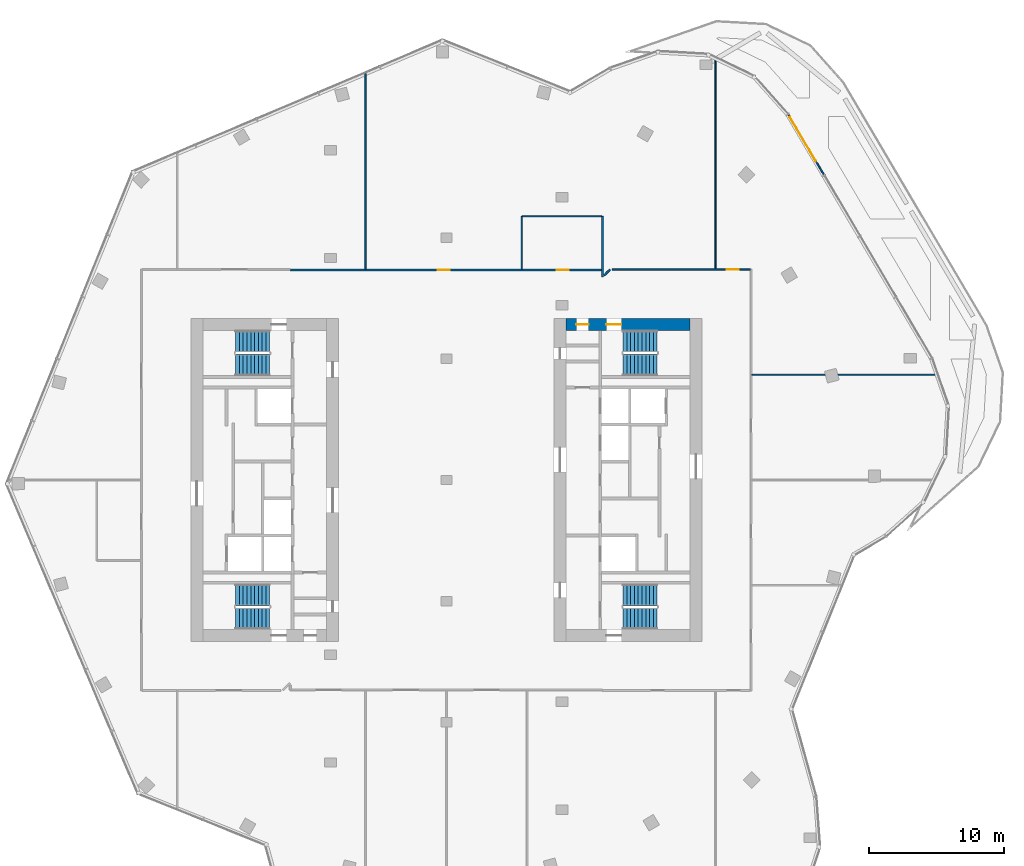
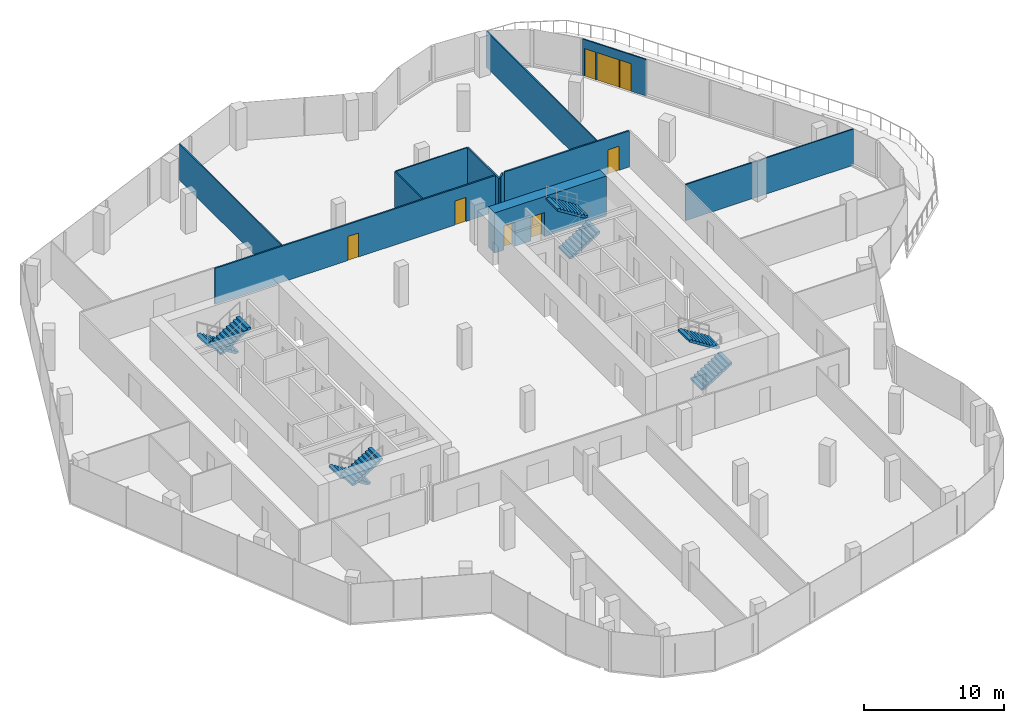
# One storey, part 15 of 17: 11 walls, 8 stair flights, 6 doors, 2 windows, 8 openings, 4 elements without a shape of their own.
"""IFC4 building model written with IfcOpenShell, lengths in metres."""

from ifc_helpers import new_model, si_unit, direction, frame, frame_2d, origin, place, context, subcontext, project, spatial, polyline, rectangle, outline, extrude, material, layer, layer_set, type_object, element, fill, aggregate, save


model = new_model("IFC4")

# Units and contexts
model_context = context("Model", 3, precision=1e-05, world=origin(), true_north=direction((0.0, 1.0)))
body_context = subcontext(model_context, "Body", "Model", "MODEL_VIEW")
ifc_project = project(units=[si_unit("LENGTHUNIT", "METRE"), si_unit("AREAUNIT", "SQUARE_METRE"), si_unit("VOLUMEUNIT", "CUBIC_METRE"), si_unit("PLANEANGLEUNIT", "RADIAN"), si_unit("MASSUNIT", "GRAM", prefix="KILO")], contexts=[model_context])

# Site, building, storey
site_placement = place(None, origin())
site = spatial("IfcSite", under=ifc_project, at=site_placement, CompositionType="ELEMENT")
building_placement = place(site_placement, origin())
building = spatial("IfcBuilding", under=site, at=building_placement, Name="Orlundy Tower", CompositionType="ELEMENT")
storey_placement = place(building_placement, frame((0.0, 0.0, 289.39990234375)))
storey = spatial("IfcBuildingStorey", under=building, at=storey_placement, Name="L77", CompositionType="ELEMENT", Elevation=289.39990234375)

# Wall, openings, doors
ifc_material_1 = material(Name="Concrete C50/60", Category="concrete")
ifc_layer_1 = layer(ifc_material_1, 0.89990234375)
ifc_layer_set_1 = layer_set([ifc_layer_1], Name="CORE WALL 900 C50/60")
wall_type_1 = type_object("IfcWallType", Name="CORE WALL 900 C50/60", PredefinedType="SHEAR", material=ifc_layer_set_1)
wall_1_placement = place(storey_placement, frame((8.89990234375, 11.550048828125, 0.0), z_axis=(0.0, 0.0, 1.0), x_axis=(1.0, 0.0, 0.0)))
wall_1 = element("IfcWall", 1, at=wall_1_placement, inside=storey, type_object=wall_type_1, Name="Core wall E-N L77", PredefinedType="SHEAR", context=body_context, shape_type="SweptSolid", body=[
    extrude(rectangle(XDim=9.2001953125, YDim=0.89990234375, at=frame_2d((4.60009765625, 0.0))), origin(), (0.0, 0.0, 1.0), 3.5),
])
opening_1_placement = place(wall_1_placement, frame((3.0, 0.0, 0.0)))
opening_1 = element("IfcOpeningElement", 2, at=opening_1_placement, cuts=wall_1, Name="Opening 59061", PredefinedType="OPENING", context=body_context, shape_type="SweptSolid", body=[
    extrude(rectangle(XDim=1.10009765625, YDim=2.10009765625, at=frame_2d((0.550048828125, 1.050048828125))), frame((0.0, 0.4599609375, 0.0), z_axis=(0.0, -1.0, 0.0), x_axis=(1.0, 0.0, 0.0)), (0.0, 0.0, 1.0), 0.919921875),
])
opening_2_placement = place(wall_1_placement, frame((0.77001953125, 0.0, 0.0)))
opening_2 = element("IfcOpeningElement", 3, at=opening_2_placement, cuts=wall_1, Name="Opening 59063", PredefinedType="OPENING", context=body_context, shape_type="SweptSolid", body=[
    extrude(rectangle(XDim=0.89990234375, YDim=2.10009765625, at=frame_2d((0.449951171875, 1.050048828125))), frame((0.0, 0.4599609375, 0.0), z_axis=(0.0, -1.0, 0.0), x_axis=(1.0, 0.0, 0.0)), (0.0, 0.0, 1.0), 0.919921875),
])
ifc_material_2 = material(Name="Timber door set", Category="wood")
door_type_1 = type_object("IfcDoorType", Name="Room Door 900x2100", OperationType="SINGLE_SWING_LEFT", PredefinedType="DOOR", material=ifc_material_2)
door_1_placement = place(opening_2_placement, origin())
door_1 = element("IfcDoor", 4, at=door_1_placement, inside=storey, type_object=door_type_1, Name="Store door 59063", OperationType="SINGLE_SWING_LEFT", OverallHeight=2.10009765625, OverallWidth=0.89990234375, PredefinedType="DOOR", context=body_context, shape_type="SweptSolid", body=[
    extrude(rectangle(XDim=0.89990234375, YDim=2.10009765625, at=frame_2d((0.449951171875, 1.050048828125))), frame((0.0, 0.02490234375, 0.0), z_axis=(0.0, -1.0, 0.0), x_axis=(1.0, 0.0, 0.0)), (0.0, 0.0, 1.0), 0.050048828125),
])
fill(opening_2, door_1)
ifc_material_3 = material(Name="Steel door set", Category="steel")
door_type_2 = type_object("IfcDoorType", Name="Stair Door 1100x2100", OperationType="SINGLE_SWING_LEFT", PredefinedType="DOOR", material=ifc_material_3)
door_2_placement = place(opening_1_placement, origin())
door_2 = element("IfcDoor", 5, at=door_2_placement, inside=storey, type_object=door_type_2, Name="Stair door 59061", OperationType="SINGLE_SWING_LEFT", OverallHeight=2.10009765625, OverallWidth=1.10009765625, PredefinedType="DOOR", context=body_context, shape_type="SweptSolid", body=[
    extrude(rectangle(XDim=1.10009765625, YDim=2.10009765625, at=frame_2d((0.550048828125, 1.050048828125))), frame((0.0, 0.02490234375, 0.0), z_axis=(0.0, -1.0, 0.0), x_axis=(1.0, 0.0, 0.0)), (0.0, 0.0, 1.0), 0.050048828125),
])
fill(opening_1, door_2)

# Walls
ifc_material_4 = material(Name="Gypsum board partition")
ifc_layer_2 = layer(ifc_material_4, 0.10009765625)
ifc_layer_set_2 = layer_set([ifc_layer_2], Name="Floor partition 100")
wall_type_2 = type_object("IfcWallType", Name="Floor partition 100", PredefinedType="PARTITIONING", material=ifc_layer_set_2)
wall_2_placement = place(storey_placement, frame((22.7119140625, 7.823974609375, 0.0), z_axis=(0.0, 0.0, 1.0), x_axis=(1.0, 0.0, 0.0)))
element("IfcWall", 6, at=wall_2_placement, inside=storey, type_object=wall_type_2, Name="wall-int-L77-010", PredefinedType="PARTITIONING", context=body_context, shape_type="SweptSolid", body=[
    extrude(rectangle(XDim=13.8701171875, YDim=0.10009765625, at=frame_2d((6.93505859375, 0.0))), origin(), (0.0, 0.0, 1.0), 3.150146484375),
])
wall_3_placement = place(storey_placement, frame((5.64892578125, 19.60009765625, 0.0), z_axis=(0.0, 0.0, 1.0), x_axis=(1.0, 0.0, 0.0)))
element("IfcWall", 7, at=wall_3_placement, inside=storey, type_object=wall_type_2, Name="wall-int-L77-014", PredefinedType="PARTITIONING", context=body_context, shape_type="SweptSolid", body=[
    extrude(rectangle(XDim=5.88818359375, YDim=0.10009765625, at=frame_2d((2.944091796875, 0.0))), origin(), (0.0, 0.0, 1.0), 3.150146484375),
])
wall_4_placement = place(storey_placement, frame((20.0, 15.712890625, 0.0), z_axis=(0.0, 0.0, 1.0), x_axis=(0.0, 1.0, 0.0)))
element("IfcWall", 8, at=wall_4_placement, inside=storey, type_object=wall_type_2, Name="wall-int-L77-020", PredefinedType="PARTITIONING", context=body_context, shape_type="SweptSolid", body=[
    extrude(rectangle(XDim=15.7412109375, YDim=0.10009765625, at=frame_2d((7.87060546875, 0.0))), origin(), (0.0, 0.0, 1.0), 3.150146484375),
])
wall_5_placement = place(storey_placement, frame((5.59912109375, 15.6640625, 0.0), z_axis=(0.0, 0.0, 1.0), x_axis=(0.0, 1.0, 0.0)))
element("IfcWall", 9, at=wall_5_placement, inside=storey, type_object=wall_type_2, Name="wall-int-L77-023", PredefinedType="PARTITIONING", context=body_context, shape_type="SweptSolid", body=[
    extrude(rectangle(XDim=3.93603515625, YDim=0.10009765625, at=frame_2d((1.968017578125, 0.0))), origin(), (0.0, 0.0, 1.0), 3.150146484375),
])
wall_6_placement = place(storey_placement, frame((-6.0, 15.6640625, 0.0), z_axis=(0.0, 0.0, 1.0), x_axis=(0.0, 1.0, 0.0)))
element("IfcWall", 10, at=wall_6_placement, inside=storey, type_object=wall_type_2, Name="wall-int-L77-026", PredefinedType="PARTITIONING", context=body_context, shape_type="SweptSolid", body=[
    extrude(rectangle(XDim=14.65185546875, YDim=0.10009765625, at=frame_2d((7.325927734375, 0.0))), origin(), (0.0, 0.0, 1.0), 3.150146484375),
])

# Wall, openings, doors
ifc_material_5 = material(Name="Gypsum board partition, double layer")
ifc_layer_3 = layer(ifc_material_5, 0.125)
ifc_layer_set_3 = layer_set([ifc_layer_3], Name="Floor partition 125")
wall_type_3 = type_object("IfcWallType", Name="Floor partition 125", PredefinedType="PARTITIONING", material=ifc_layer_set_3)
wall_7_placement = place(storey_placement, frame((-11.590087890625, 15.60107421875, 0.0), z_axis=(0.0, 0.0, 1.0), x_axis=(1.0, 0.0, 0.0)))
wall_7 = element("IfcWall", 11, at=wall_7_placement, inside=storey, type_object=wall_type_3, Name="wall-int-L77-011", PredefinedType="PARTITIONING", context=body_context, shape_type="SweptSolid", body=[
    extrude(rectangle(XDim=23.127197265625, YDim=0.125, at=frame_2d((11.5634765625, 0.0))), origin(), (0.0, 0.0, 1.0), 3.150146484375),
])
opening_3_placement = place(wall_7_placement, frame((10.93994140625, 0.0, 0.0)))
opening_3 = element("IfcOpeningElement", 12, at=opening_3_placement, cuts=wall_7, Name="Opening 59111", PredefinedType="OPENING", context=body_context, shape_type="SweptSolid", body=[
    extrude(rectangle(XDim=0.89990234375, YDim=2.10009765625, at=frame_2d((0.449951171875, 1.050048828125))), frame((0.0, 0.072509765625, 0.0), z_axis=(0.0, -1.0, 0.0), x_axis=(1.0, 0.0, 0.0)), (0.0, 0.0, 1.0), 0.14501953125),
])
opening_4_placement = place(wall_7_placement, frame((19.7890625, 0.0, 0.0)))
opening_4 = element("IfcOpeningElement", 13, at=opening_4_placement, cuts=wall_7, Name="Opening 59114", PredefinedType="OPENING", context=body_context, shape_type="SweptSolid", body=[
    extrude(rectangle(XDim=0.89990234375, YDim=2.10009765625, at=frame_2d((0.449951171875, 1.050048828125))), frame((0.0, 0.072509765625, 0.0), z_axis=(0.0, -1.0, 0.0), x_axis=(1.0, 0.0, 0.0)), (0.0, 0.0, 1.0), 0.14501953125),
])
ifc_material_6 = material(Name="Timber door leaf", Category="wood")
door_type_3 = type_object("IfcDoorType", Name="Floor door single 900 FD30S", OperationType="NOTDEFINED", PredefinedType="DOOR", material=ifc_material_6)
door_3_placement = place(opening_3_placement, origin())
door_3 = element("IfcDoor", 14, at=door_3_placement, inside=storey, type_object=door_type_3, Name="Door 59111", OperationType="SINGLE_SWING_LEFT", OverallHeight=2.10009765625, OverallWidth=0.89990234375, PredefinedType="DOOR", context=body_context, shape_type="SweptSolid", body=[
    extrude(rectangle(XDim=0.89990234375, YDim=2.10009765625, at=frame_2d((0.449951171875, 1.050048828125))), frame((0.0, 0.02490234375, 0.0), z_axis=(0.0, -1.0, 0.0), x_axis=(1.0, 0.0, 0.0)), (0.0, 0.0, 1.0), 0.050048828125),
])
fill(opening_3, door_3)
door_4_placement = place(opening_4_placement, origin())
door_4 = element("IfcDoor", 15, at=door_4_placement, inside=storey, type_object=door_type_3, Name="Door 59114", OperationType="SINGLE_SWING_RIGHT", OverallHeight=2.10009765625, OverallWidth=0.89990234375, PredefinedType="DOOR", context=body_context, shape_type="SweptSolid", body=[
    extrude(rectangle(XDim=0.89990234375, YDim=2.10009765625, at=frame_2d((0.449951171875, 1.050048828125))), frame((0.0, 0.02490234375, 0.0), z_axis=(0.0, -1.0, 0.0), x_axis=(1.0, 0.0, 0.0)), (0.0, 0.0, 1.0), 0.050048828125),
])
fill(opening_4, door_4)

# Wall, opening, door
wall_8_placement = place(storey_placement, frame((12.31103515625, 15.65087890625, 0.0), z_axis=(0.0, 0.0, 1.0), x_axis=(1.0, 0.0, 0.0)))
wall_8 = element("IfcWall", 16, at=wall_8_placement, inside=storey, type_object=wall_type_3, Name="wall-int-L77-013", PredefinedType="PARTITIONING", context=body_context, shape_type="SweptSolid", body=[
    extrude(rectangle(XDim=10.27587890625, YDim=0.125, at=frame_2d((5.137939453125, 0.0))), origin(), (0.0, 0.0, 1.0), 3.150146484375),
])
opening_5_placement = place(wall_8_placement, frame((8.5390625, 0.0, 0.0)))
opening_5 = element("IfcOpeningElement", 17, at=opening_5_placement, cuts=wall_8, Name="Opening 59110", PredefinedType="OPENING", context=body_context, shape_type="SweptSolid", body=[
    extrude(rectangle(XDim=0.89990234375, YDim=2.10009765625, at=frame_2d((0.449951171875, 1.050048828125))), frame((0.0, 0.072509765625, 0.0), z_axis=(0.0, -1.0, 0.0), x_axis=(1.0, 0.0, 0.0)), (0.0, 0.0, 1.0), 0.14501953125),
])
door_5_placement = place(opening_5_placement, origin())
door_5 = element("IfcDoor", 18, at=door_5_placement, inside=storey, type_object=door_type_3, Name="Door 59110", OperationType="SINGLE_SWING_RIGHT", OverallHeight=2.10009765625, OverallWidth=0.89990234375, PredefinedType="DOOR", context=body_context, shape_type="SweptSolid", body=[
    extrude(rectangle(XDim=0.89990234375, YDim=2.10009765625, at=frame_2d((0.449951171875, 1.050048828125))), frame((0.0, 0.02490234375, 0.0), z_axis=(0.0, -1.0, 0.0), x_axis=(1.0, 0.0, 0.0)), (0.0, 0.0, 1.0), 0.050048828125),
])
fill(opening_5, door_5)

# Walls
wall_9_placement = place(storey_placement, frame((11.73095703125, 15.20703125, 0.0), z_axis=(0.0, 0.0, 1.0), x_axis=(0.707311295066, 0.70690220814, 0.0)))
element("IfcWall", 19, at=wall_9_placement, inside=storey, type_object=wall_type_3, Name="wall-int-L77-016", PredefinedType="PARTITIONING", context=body_context, shape_type="SweptSolid", body=[
    extrude(rectangle(XDim=0.5966796875, YDim=0.125, at=frame_2d((0.29833984375, 0.0))), origin(), (0.0, 0.0, 1.0), 3.150146484375),
])
wall_10_placement = place(storey_placement, frame((11.60107421875, 15.092041015625, 0.0), z_axis=(0.0, 0.0, 1.0), x_axis=(0.0, 1.0, 0.0)))
element("IfcWall", 20, at=wall_10_placement, inside=storey, type_object=wall_type_3, Name="wall-int-L77-021", PredefinedType="PARTITIONING", context=body_context, shape_type="SweptSolid", body=[
    extrude(rectangle(XDim=4.507080078125, YDim=0.125, at=frame_2d((2.25341796875, 0.0))), origin(), (0.0, 0.0, 1.0), 3.150146484375),
])

# Wall, openings, windows, door
ifc_material_7 = material(Name="Aluminium bronze and tinted glass", Category="aluminium")
ifc_layer_4 = layer(ifc_material_7, 0.10009765625)
ifc_layer_set_4 = layer_set([ifc_layer_4], Name="Glazed door screen")
wall_type_4 = type_object("IfcWallType", Name="Glazed door screen", PredefinedType="STANDARD", material=ifc_layer_set_4)
wall_11_placement = place(storey_placement, frame((25.42431640625, 27.15869140625, 0.0), z_axis=(0.0, 0.0, 1.0), x_axis=(0.507520639253, -0.861639600258, 0.0)))
wall_11 = element("IfcWall", 21, at=wall_11_placement, inside=storey, type_object=wall_type_4, Name="Glazed door screen", PredefinedType="STANDARD", context=body_context, shape_type="SweptSolid", body=[
    extrude(rectangle(XDim=5.2216796875, YDim=0.10009765625, at=frame_2d((2.61083984375, 0.0))), origin(), (0.0, 0.0, 1.0), 3.18017578125),
])
opening_6_placement = place(wall_11_placement, frame((1.196533203125, 0.0, 0.0)))
opening_6 = element("IfcOpeningElement", 22, at=opening_6_placement, cuts=wall_11, Name="Opening 59940", PredefinedType="OPENING", context=body_context, shape_type="SweptSolid", body=[
    extrude(rectangle(XDim=1.800048828125, YDim=2.39990234375, at=frame_2d((0.89990234375, 1.199951171875))), frame((0.0, 0.06005859375, 0.0), z_axis=(0.0, -1.0, 0.0), x_axis=(1.0, 0.0, 0.0)), (0.0, 0.0, 1.0), 0.1201171875),
])
opening_7_placement = place(wall_11_placement, frame((0.196533203125, 0.0, 0.0)))
opening_7 = element("IfcOpeningElement", 23, at=opening_7_placement, cuts=wall_11, Name="Opening W02", PredefinedType="OPENING", context=body_context, shape_type="SweptSolid", body=[
    extrude(rectangle(XDim=0.89990234375, YDim=2.39990234375, at=frame_2d((0.449951171875, 1.199951171875))), frame((0.0, 0.06005859375, 0.0), z_axis=(0.0, -1.0, 0.0), x_axis=(1.0, 0.0, 0.0)), (0.0, 0.0, 1.0), 0.1201171875),
])
opening_8_placement = place(wall_11_placement, frame((3.096435546875, 0.0, 0.0)))
opening_8 = element("IfcOpeningElement", 24, at=opening_8_placement, cuts=wall_11, Name="Opening W02", PredefinedType="OPENING", context=body_context, shape_type="SweptSolid", body=[
    extrude(rectangle(XDim=0.89990234375, YDim=2.39990234375, at=frame_2d((0.449951171875, 1.199951171875))), frame((0.0, 0.06005859375, 0.0), z_axis=(0.0, -1.0, 0.0), x_axis=(1.0, 0.0, 0.0)), (0.0, 0.0, 1.0), 0.1201171875),
])
ifc_material_8 = material(Name="Tinted glass in bronze aluminium frame", Category="aluminium")
window_type = type_object("IfcWindowType", Name="SL2 sidelight 900x2400", PartitioningType="SINGLE_PANEL", PredefinedType="WINDOW", material=ifc_material_8)
window_1_placement = place(opening_7_placement, origin())
window_1 = element("IfcWindow", 25, at=window_1_placement, inside=storey, type_object=window_type, Name="Window W02 L77", OverallHeight=2.39990234375, OverallWidth=0.89990234375, PartitioningType="SINGLE_PANEL", PredefinedType="WINDOW", context=body_context, shape_type="SweptSolid", body=[
    extrude(rectangle(XDim=0.89990234375, YDim=2.39990234375, at=frame_2d((0.449951171875, 1.199951171875))), frame((0.0, 0.030029296875, 0.0), z_axis=(0.0, -1.0, 0.0), x_axis=(1.0, 0.0, 0.0)), (0.0, 0.0, 1.0), 0.06005859375),
])
fill(opening_7, window_1)
window_2_placement = place(opening_8_placement, origin())
window_2 = element("IfcWindow", 26, at=window_2_placement, inside=storey, type_object=window_type, Name="Window W02 L77", OverallHeight=2.39990234375, OverallWidth=0.89990234375, PartitioningType="SINGLE_PANEL", PredefinedType="WINDOW", context=body_context, shape_type="SweptSolid", body=[
    extrude(rectangle(XDim=0.89990234375, YDim=2.39990234375, at=frame_2d((0.449951171875, 1.199951171875))), frame((0.0, 0.030029296875, 0.0), z_axis=(0.0, -1.0, 0.0), x_axis=(1.0, 0.0, 0.0)), (0.0, 0.0, 1.0), 0.06005859375),
])
fill(opening_8, window_2)
ifc_material_9 = material(Name="Aluminium bronze and tinted glass", Category="aluminium")
door_type_4 = type_object("IfcDoorType", Name="TD1 terrace door 1800x2400", OperationType="NOTDEFINED", PredefinedType="DOOR", material=ifc_material_9)
door_6_placement = place(opening_6_placement, origin())
door_6 = element("IfcDoor", 27, at=door_6_placement, inside=storey, type_object=door_type_4, Name="Door 59940", OperationType="DOUBLE_DOOR_SINGLE_SWING", OverallHeight=2.39990234375, OverallWidth=1.800048828125, PredefinedType="DOOR", context=body_context, shape_type="SweptSolid", body=[
    extrude(rectangle(XDim=1.800048828125, YDim=2.39990234375, at=frame_2d((0.89990234375, 1.199951171875))), frame((0.0, 0.02490234375, 0.0), z_axis=(0.0, -1.0, 0.0), x_axis=(1.0, 0.0, 0.0)), (0.0, 0.0, 1.0), 0.050048828125),
])
fill(opening_6, door_6)

# Stair, stair flights
ifc_material_10 = material(Name="Concrete C50/60", Category="concrete")
stair_type = type_object("IfcStairType", Name="Exit Stair 20 risers", PredefinedType="HALF_TURN_STAIR", material=ifc_material_10)
stair_1_placement = place(storey_placement, origin())
stair_1 = element("IfcStair", 28, at=stair_1_placement, inside=storey, type_object=stair_type, Name="L77 Exit Stair ST-W1", PredefinedType="HALF_TURN_STAIR")
ifc_material_11 = material(Name="Concrete C50/60", Category="concrete")
stair_flight_type = type_object("IfcStairFlightType", Name="Stair Flight 10 risers", PredefinedType="STRAIGHT", material=ifc_material_11)
stair_flight_1_placement = place(storey_placement, frame((-13.139892578125, 10.300048828125, 0.0), z_axis=(0.0, 0.0, 1.0), x_axis=(-1.0, 0.0, 0.0)))
stair_flight_1 = element("IfcStairFlight", 29, at=stair_flight_1_placement, type_object=stair_flight_type, Name="ST-W1 flight 1", NumberOfRisers=10, NumberOfTreads=9, PredefinedType="STRAIGHT", RiserHeight=0.175, TreadLength=0.28, context=body_context, shape_type="SweptSolid", body=[
    extrude(outline(polyline([(0.0, 0.0), (0.0, 0.175048828125), (0.280029296875, 0.175048828125), (0.280029296875, 0.35009765625), (0.56005859375, 0.35009765625), (0.56005859375, 0.52490234375), (0.840087890625, 0.52490234375), (0.840087890625, 0.699951171875), (1.1201171875, 0.699951171875), (1.1201171875, 0.875), (1.39990234375, 0.875), (1.39990234375, 1.050048828125), (1.679931640625, 1.050048828125), (1.679931640625, 1.22509765625), (1.9599609375, 1.22509765625), (1.9599609375, 1.39990234375), (2.239990234375, 1.39990234375), (2.239990234375, 1.574951171875), (2.52001953125, 1.574951171875), (2.52001953125, 1.75), (2.52001953125, 1.398193359375), (0.28271484375, 0.0), (0.0, 0.0)])), frame((0.0, 0.800048828125, 0.0), z_axis=(0.0, -1.0, 0.0), x_axis=(1.0, 0.0, 0.0)), (0.0, 0.0, 1.0), 1.60009765625),
])
stair_flight_2_placement = place(storey_placement, frame((-15.659912109375, 8.550048828125, 1.75), z_axis=(0.0, 0.0, 1.0), x_axis=(1.0, 0.0, 0.0)))
stair_flight_2 = element("IfcStairFlight", 30, at=stair_flight_2_placement, type_object=stair_flight_type, Name="ST-W1 flight 2", NumberOfRisers=10, NumberOfTreads=9, PredefinedType="STRAIGHT", RiserHeight=0.175, TreadLength=0.28, context=body_context, shape_type="SweptSolid", body=[
    extrude(outline(polyline([(0.0, 0.0), (0.0, 0.175048828125), (0.280029296875, 0.175048828125), (0.280029296875, 0.35009765625), (0.56005859375, 0.35009765625), (0.56005859375, 0.52490234375), (0.840087890625, 0.52490234375), (0.840087890625, 0.699951171875), (1.1201171875, 0.699951171875), (1.1201171875, 0.875), (1.39990234375, 0.875), (1.39990234375, 1.050048828125), (1.679931640625, 1.050048828125), (1.679931640625, 1.22509765625), (1.9599609375, 1.22509765625), (1.9599609375, 1.39990234375), (2.239990234375, 1.39990234375), (2.239990234375, 1.574951171875), (2.52001953125, 1.574951171875), (2.52001953125, 1.75), (2.52001953125, 1.398193359375), (0.28271484375, 0.0), (0.0, 0.0)])), frame((0.0, 0.800048828125, 0.0), z_axis=(0.0, -1.0, 0.0), x_axis=(1.0, 0.0, 0.0)), (0.0, 0.0, 1.0), 1.60009765625),
])
aggregate(stair_1, [stair_flight_1, stair_flight_2])

stair_2_placement = place(storey_placement, origin())
stair_2 = element("IfcStair", 31, at=stair_2_placement, inside=storey, type_object=stair_type, Name="L77 Exit Stair ST-W2", PredefinedType="HALF_TURN_STAIR")
stair_flight_3_placement = place(storey_placement, frame((-13.139892578125, -8.550048828125, 0.0), z_axis=(0.0, 0.0, 1.0), x_axis=(-1.0, 0.0, 0.0)))
stair_flight_3 = element("IfcStairFlight", 32, at=stair_flight_3_placement, type_object=stair_flight_type, Name="ST-W2 flight 1", NumberOfRisers=10, NumberOfTreads=9, PredefinedType="STRAIGHT", RiserHeight=0.175, TreadLength=0.28, context=body_context, shape_type="SweptSolid", body=[
    extrude(outline(polyline([(0.0, 0.0), (0.0, 0.175048828125), (0.280029296875, 0.175048828125), (0.280029296875, 0.35009765625), (0.56005859375, 0.35009765625), (0.56005859375, 0.52490234375), (0.840087890625, 0.52490234375), (0.840087890625, 0.699951171875), (1.1201171875, 0.699951171875), (1.1201171875, 0.875), (1.39990234375, 0.875), (1.39990234375, 1.050048828125), (1.679931640625, 1.050048828125), (1.679931640625, 1.22509765625), (1.9599609375, 1.22509765625), (1.9599609375, 1.39990234375), (2.239990234375, 1.39990234375), (2.239990234375, 1.574951171875), (2.52001953125, 1.574951171875), (2.52001953125, 1.75), (2.52001953125, 1.398193359375), (0.28271484375, 0.0), (0.0, 0.0)])), frame((0.0, 0.800048828125, 0.0), z_axis=(0.0, -1.0, 0.0), x_axis=(1.0, 0.0, 0.0)), (0.0, 0.0, 1.0), 1.60009765625),
])
stair_flight_4_placement = place(storey_placement, frame((-15.659912109375, -10.300048828125, 1.75), z_axis=(0.0, 0.0, 1.0), x_axis=(1.0, 0.0, 0.0)))
stair_flight_4 = element("IfcStairFlight", 33, at=stair_flight_4_placement, type_object=stair_flight_type, Name="ST-W2 flight 2", NumberOfRisers=10, NumberOfTreads=9, PredefinedType="STRAIGHT", RiserHeight=0.175, TreadLength=0.28, context=body_context, shape_type="SweptSolid", body=[
    extrude(outline(polyline([(0.0, 0.0), (0.0, 0.175048828125), (0.280029296875, 0.175048828125), (0.280029296875, 0.35009765625), (0.56005859375, 0.35009765625), (0.56005859375, 0.52490234375), (0.840087890625, 0.52490234375), (0.840087890625, 0.699951171875), (1.1201171875, 0.699951171875), (1.1201171875, 0.875), (1.39990234375, 0.875), (1.39990234375, 1.050048828125), (1.679931640625, 1.050048828125), (1.679931640625, 1.22509765625), (1.9599609375, 1.22509765625), (1.9599609375, 1.39990234375), (2.239990234375, 1.39990234375), (2.239990234375, 1.574951171875), (2.52001953125, 1.574951171875), (2.52001953125, 1.75), (2.52001953125, 1.398193359375), (0.28271484375, 0.0), (0.0, 0.0)])), frame((0.0, 0.800048828125, 0.0), z_axis=(0.0, -1.0, 0.0), x_axis=(1.0, 0.0, 0.0)), (0.0, 0.0, 1.0), 1.60009765625),
])
aggregate(stair_2, [stair_flight_3, stair_flight_4])

stair_3_placement = place(storey_placement, origin())
stair_3 = element("IfcStair", 34, at=stair_3_placement, inside=storey, type_object=stair_type, Name="L77 Exit Stair ST-E1", PredefinedType="HALF_TURN_STAIR")
stair_flight_5_placement = place(storey_placement, frame((13.139892578125, -10.300048828125, 0.0), z_axis=(0.0, 0.0, 1.0), x_axis=(1.0, 0.0, 0.0)))
stair_flight_5 = element("IfcStairFlight", 35, at=stair_flight_5_placement, type_object=stair_flight_type, Name="ST-E1 flight 1", NumberOfRisers=10, NumberOfTreads=9, PredefinedType="STRAIGHT", RiserHeight=0.175, TreadLength=0.28, context=body_context, shape_type="SweptSolid", body=[
    extrude(outline(polyline([(0.0, 0.0), (0.0, 0.175048828125), (0.280029296875, 0.175048828125), (0.280029296875, 0.35009765625), (0.56005859375, 0.35009765625), (0.56005859375, 0.52490234375), (0.840087890625, 0.52490234375), (0.840087890625, 0.699951171875), (1.1201171875, 0.699951171875), (1.1201171875, 0.875), (1.39990234375, 0.875), (1.39990234375, 1.050048828125), (1.679931640625, 1.050048828125), (1.679931640625, 1.22509765625), (1.9599609375, 1.22509765625), (1.9599609375, 1.39990234375), (2.239990234375, 1.39990234375), (2.239990234375, 1.574951171875), (2.52001953125, 1.574951171875), (2.52001953125, 1.75), (2.52001953125, 1.398193359375), (0.28271484375, 0.0), (0.0, 0.0)])), frame((0.0, 0.800048828125, 0.0), z_axis=(0.0, -1.0, 0.0), x_axis=(1.0, 0.0, 0.0)), (0.0, 0.0, 1.0), 1.60009765625),
])
stair_flight_6_placement = place(storey_placement, frame((15.659912109375, -8.550048828125, 1.75), z_axis=(0.0, 0.0, 1.0), x_axis=(-1.0, 0.0, 0.0)))
stair_flight_6 = element("IfcStairFlight", 36, at=stair_flight_6_placement, type_object=stair_flight_type, Name="ST-E1 flight 2", NumberOfRisers=10, NumberOfTreads=9, PredefinedType="STRAIGHT", RiserHeight=0.175, TreadLength=0.28, context=body_context, shape_type="SweptSolid", body=[
    extrude(outline(polyline([(0.0, 0.0), (0.0, 0.175048828125), (0.280029296875, 0.175048828125), (0.280029296875, 0.35009765625), (0.56005859375, 0.35009765625), (0.56005859375, 0.52490234375), (0.840087890625, 0.52490234375), (0.840087890625, 0.699951171875), (1.1201171875, 0.699951171875), (1.1201171875, 0.875), (1.39990234375, 0.875), (1.39990234375, 1.050048828125), (1.679931640625, 1.050048828125), (1.679931640625, 1.22509765625), (1.9599609375, 1.22509765625), (1.9599609375, 1.39990234375), (2.239990234375, 1.39990234375), (2.239990234375, 1.574951171875), (2.52001953125, 1.574951171875), (2.52001953125, 1.75), (2.52001953125, 1.398193359375), (0.28271484375, 0.0), (0.0, 0.0)])), frame((0.0, 0.800048828125, 0.0), z_axis=(0.0, -1.0, 0.0), x_axis=(1.0, 0.0, 0.0)), (0.0, 0.0, 1.0), 1.60009765625),
])
aggregate(stair_3, [stair_flight_5, stair_flight_6])

stair_4_placement = place(storey_placement, origin())
stair_4 = element("IfcStair", 37, at=stair_4_placement, inside=storey, type_object=stair_type, Name="L77 Exit Stair ST-E2", PredefinedType="HALF_TURN_STAIR")
stair_flight_7_placement = place(storey_placement, frame((13.139892578125, 8.550048828125, 0.0), z_axis=(0.0, 0.0, 1.0), x_axis=(1.0, 0.0, 0.0)))
stair_flight_7 = element("IfcStairFlight", 38, at=stair_flight_7_placement, type_object=stair_flight_type, Name="ST-E2 flight 1", NumberOfRisers=10, NumberOfTreads=9, PredefinedType="STRAIGHT", RiserHeight=0.175, TreadLength=0.28, context=body_context, shape_type="SweptSolid", body=[
    extrude(outline(polyline([(0.0, 0.0), (0.0, 0.175048828125), (0.280029296875, 0.175048828125), (0.280029296875, 0.35009765625), (0.56005859375, 0.35009765625), (0.56005859375, 0.52490234375), (0.840087890625, 0.52490234375), (0.840087890625, 0.699951171875), (1.1201171875, 0.699951171875), (1.1201171875, 0.875), (1.39990234375, 0.875), (1.39990234375, 1.050048828125), (1.679931640625, 1.050048828125), (1.679931640625, 1.22509765625), (1.9599609375, 1.22509765625), (1.9599609375, 1.39990234375), (2.239990234375, 1.39990234375), (2.239990234375, 1.574951171875), (2.52001953125, 1.574951171875), (2.52001953125, 1.75), (2.52001953125, 1.398193359375), (0.28271484375, 0.0), (0.0, 0.0)])), frame((0.0, 0.800048828125, 0.0), z_axis=(0.0, -1.0, 0.0), x_axis=(1.0, 0.0, 0.0)), (0.0, 0.0, 1.0), 1.60009765625),
])
stair_flight_8_placement = place(storey_placement, frame((15.659912109375, 10.300048828125, 1.75), z_axis=(0.0, 0.0, 1.0), x_axis=(-1.0, 0.0, 0.0)))
stair_flight_8 = element("IfcStairFlight", 39, at=stair_flight_8_placement, type_object=stair_flight_type, Name="ST-E2 flight 2", NumberOfRisers=10, NumberOfTreads=9, PredefinedType="STRAIGHT", RiserHeight=0.175, TreadLength=0.28, context=body_context, shape_type="SweptSolid", body=[
    extrude(outline(polyline([(0.0, 0.0), (0.0, 0.175048828125), (0.280029296875, 0.175048828125), (0.280029296875, 0.35009765625), (0.56005859375, 0.35009765625), (0.56005859375, 0.52490234375), (0.840087890625, 0.52490234375), (0.840087890625, 0.699951171875), (1.1201171875, 0.699951171875), (1.1201171875, 0.875), (1.39990234375, 0.875), (1.39990234375, 1.050048828125), (1.679931640625, 1.050048828125), (1.679931640625, 1.22509765625), (1.9599609375, 1.22509765625), (1.9599609375, 1.39990234375), (2.239990234375, 1.39990234375), (2.239990234375, 1.574951171875), (2.52001953125, 1.574951171875), (2.52001953125, 1.75), (2.52001953125, 1.398193359375), (0.28271484375, 0.0), (0.0, 0.0)])), frame((0.0, 0.800048828125, 0.0), z_axis=(0.0, -1.0, 0.0), x_axis=(1.0, 0.0, 0.0)), (0.0, 0.0, 1.0), 1.60009765625),
])
aggregate(stair_4, [stair_flight_7, stair_flight_8])

save(model, "model.ifc")
